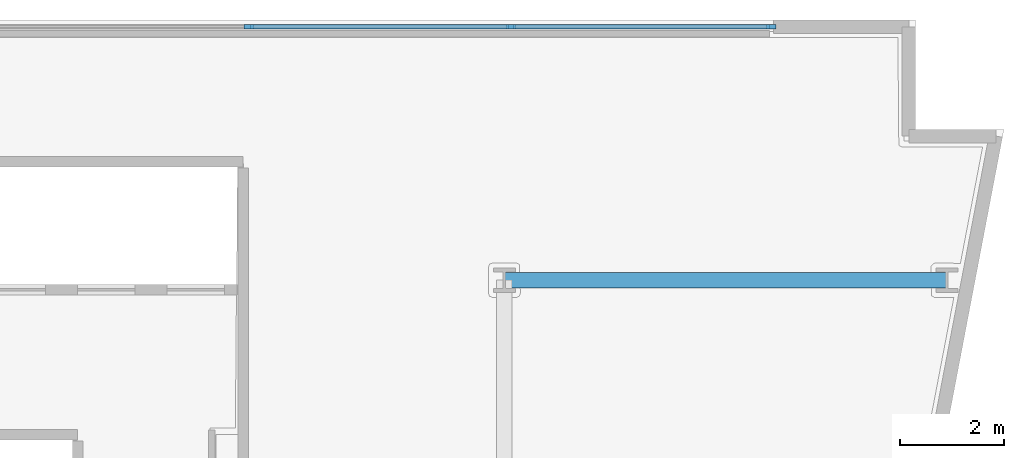
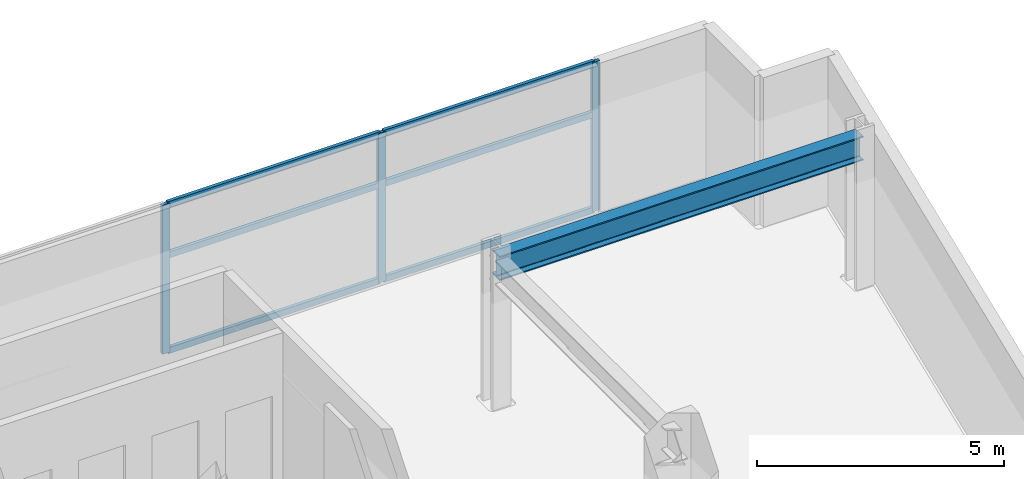
# One storey, part 4 of 13: 9 members, 1 beam, 1 element without a shape of its own.
"""IFC4 building model written with IfcOpenShell, lengths in metres."""

from ifc_helpers import new_model, si_unit, direction, frame, origin, origin_2d, place, context, subcontext, project, spatial, rectangle, i_section, extrude, material, layer, layer_set, material_profile, profile_set, type_object, element, aggregate, save


model = new_model("IFC4")

# Units and contexts
model_context = context("Model", 3, precision=1e-05, world=origin(), true_north=direction((0.0, 1.0)))
body_context = subcontext(model_context, "Body", "Model", "MODEL_VIEW")
ifc_project = project(units=[si_unit("LENGTHUNIT", "METRE"), si_unit("AREAUNIT", "SQUARE_METRE"), si_unit("VOLUMEUNIT", "CUBIC_METRE"), si_unit("PLANEANGLEUNIT", "RADIAN"), si_unit("MASSUNIT", "GRAM", prefix="KILO")], contexts=[model_context])

# Site, building, storey
site_placement = place(None, origin())
site = spatial("IfcSite", under=ifc_project, at=site_placement, CompositionType="ELEMENT")
building_placement = place(site_placement, origin())
building = spatial("IfcBuilding", under=site, at=building_placement, Name="Caeloran Harvest Quay", CompositionType="ELEMENT")
storey_placement = place(building_placement, frame((0.0, 0.0, 123.25)))
storey = spatial("IfcBuildingStorey", under=building, at=storey_placement, Name="L28", CompositionType="ELEMENT", Elevation=123.25)

# Beam
ifc_material_1 = material(Name="Steel S355J2", Category="steel")
ifc_material_profile_1 = material_profile(ifc_material_1, i_section(OverallWidth=0.300048828125, OverallDepth=0.60009765625, WebThickness=0.015380859375, FlangeThickness=0.030029296875, FilletRadius=0.027099609375, at=origin_2d()), Name="HE 600 B")
ifc_profile_set_1 = profile_set([ifc_material_profile_1], Name="Steel S355J2")
beam_type = type_object("IfcBeamType", Name="BM-PG-3-HE_600_B", PredefinedType="BEAM", material=ifc_profile_set_1)
beam_placement = place(storey_placement, frame((42.5, 38.5, 3.389892578125), z_axis=(1.0, 0.0, 0.0), x_axis=(0.0, 1.0, 0.0)))
element("IfcBeam", 1, at=beam_placement, inside=storey, type_object=beam_type, Name="L28 Primary East-West Girder Y=38.5", PredefinedType="BEAM", context=body_context, shape_type="SweptSolid", body=[
    extrude(i_section(OverallWidth=0.300048828125, OverallDepth=0.60009765625, WebThickness=0.015380859375, FlangeThickness=0.030029296875, FilletRadius=0.027099609375, at=origin_2d()), origin(), (0.0, 0.0, 1.0), 8.5),
])

# Curtain wall, members
ifc_material_2 = material(Name="Aluminium 6063-T6 and Low-E Glazing", Category="aluminium")
ifc_layer = layer(ifc_material_2, 0.18994140625, Name="Aluminium 6063-T6 and Low-E Glazing")
ifc_layer_set = layer_set([ifc_layer], Name="Aluminium 6063-T6 and Low-E Glazing")
curtain_wall_type = type_object("IfcCurtainWallType", Name="CW-SYS-CW-3", PredefinedType="USERDEFINED", material=ifc_layer_set)
curtain_wall_placement = place(storey_placement, origin())
curtain_wall = element("IfcCurtainWall", 2, at=curtain_wall_placement, inside=storey, type_object=curtain_wall_type, Name="L28 Unitised Curtain Wall CW-3 Run 6", ObjectType="CURTAIN_WALL", PredefinedType="USERDEFINED")
ifc_material_3 = material(Name="Aluminium 6063-T6", Category="aluminium")
ifc_material_profile_2 = material_profile(ifc_material_3, rectangle(XDim=0.080078125, YDim=0.179931640625, at=origin_2d()), Name="CW-MULLION-180")
ifc_profile_set_2 = profile_set([ifc_material_profile_2], Name="Aluminium 6063-T6")
member_type_1 = type_object("IfcMemberType", Name="CW-MULLION-180", PredefinedType="MULLION", material=ifc_profile_set_2)
member_1_placement = place(storey_placement, frame((37.5849609375, 43.3701171875, 0.0), z_axis=(0.0, 0.0, 1.0), x_axis=(0.0, 1.0, 0.0)))
member_1 = element("IfcMember", 3, at=member_1_placement, type_object=member_type_1, Name="CW-3 mullion 7", PredefinedType="MULLION", context=body_context, shape_type="SweptSolid", body=[
    extrude(rectangle(XDim=0.080078125, YDim=0.179931640625, at=origin_2d()), origin(), (0.0, 0.0, 1.0), 3.68994140625),
])
member_2_placement = place(storey_placement, frame((42.62744140625, 43.3701171875, 0.0), z_axis=(0.0, 0.0, 1.0), x_axis=(0.0, 1.0, 0.0)))
member_2 = element("IfcMember", 4, at=member_2_placement, type_object=member_type_1, Name="CW-3 mullion 8", PredefinedType="MULLION", context=body_context, shape_type="SweptSolid", body=[
    extrude(rectangle(XDim=0.080078125, YDim=0.179931640625, at=origin_2d()), origin(), (0.0, 0.0, 1.0), 3.68994140625),
])
member_3_placement = place(storey_placement, frame((47.6298828125, 43.3701171875, 0.0), z_axis=(0.0, 0.0, 1.0), x_axis=(0.0, 1.0, 0.0)))
member_3 = element("IfcMember", 5, at=member_3_placement, type_object=member_type_1, Name="CW-3 mullion 9", PredefinedType="MULLION", context=body_context, shape_type="SweptSolid", body=[
    extrude(rectangle(XDim=0.080078125, YDim=0.179931640625, at=origin_2d()), origin(), (0.0, 0.0, 1.0), 3.68994140625),
])
ifc_material_profile_3 = material_profile(ifc_material_3, rectangle(XDim=0.080078125, YDim=0.14990234375, at=origin_2d()), Name="CW-TRANSOM-150")
ifc_profile_set_3 = profile_set([ifc_material_profile_3], Name="Aluminium 6063-T6")
member_type_2 = type_object("IfcMemberType", Name="CW-TRANSOM-150", PredefinedType="USERDEFINED", material=ifc_profile_set_3)
member_4_placement = place(storey_placement, frame((37.625, 43.3701171875, 0.0400390625), z_axis=(1.0, 0.0, 0.0), x_axis=(0.0, 1.0, 0.0)))
member_4 = element("IfcMember", 6, at=member_4_placement, type_object=member_type_2, Name="CW-3 transom 7.1", ObjectType="TRANSOM", PredefinedType="USERDEFINED", context=body_context, shape_type="SweptSolid", body=[
    extrude(rectangle(XDim=0.080078125, YDim=0.14990234375, at=origin_2d()), origin(), (0.0, 0.0, 1.0), 4.96240234375),
])
member_5_placement = place(storey_placement, frame((37.625, 43.3701171875, 2.39990234375), z_axis=(1.0, 0.0, 0.0), x_axis=(0.0, 1.0, 0.0)))
member_5 = element("IfcMember", 7, at=member_5_placement, type_object=member_type_2, Name="CW-3 transom 7.2", ObjectType="TRANSOM", PredefinedType="USERDEFINED", context=body_context, shape_type="SweptSolid", body=[
    extrude(rectangle(XDim=0.080078125, YDim=0.14990234375, at=origin_2d()), origin(), (0.0, 0.0, 1.0), 4.96240234375),
])
member_6_placement = place(storey_placement, frame((37.625, 43.3701171875, 3.64990234375), z_axis=(1.0, 0.0, 0.0), x_axis=(0.0, 1.0, 0.0)))
member_6 = element("IfcMember", 8, at=member_6_placement, type_object=member_type_2, Name="CW-3 transom 7.3", ObjectType="TRANSOM", PredefinedType="USERDEFINED", context=body_context, shape_type="SweptSolid", body=[
    extrude(rectangle(XDim=0.080078125, YDim=0.14990234375, at=origin_2d()), origin(), (0.0, 0.0, 1.0), 4.96240234375),
])
member_7_placement = place(storey_placement, frame((42.66748046875, 43.3701171875, 0.0400390625), z_axis=(1.0, 0.0, 0.0), x_axis=(0.0, 1.0, 0.0)))
member_7 = element("IfcMember", 9, at=member_7_placement, type_object=member_type_2, Name="CW-3 transom 8.1", ObjectType="TRANSOM", PredefinedType="USERDEFINED", context=body_context, shape_type="SweptSolid", body=[
    extrude(rectangle(XDim=0.080078125, YDim=0.14990234375, at=origin_2d()), origin(), (0.0, 0.0, 1.0), 4.922607421875),
])
member_8_placement = place(storey_placement, frame((42.66748046875, 43.3701171875, 2.39990234375), z_axis=(1.0, 0.0, 0.0), x_axis=(0.0, 1.0, 0.0)))
member_8 = element("IfcMember", 10, at=member_8_placement, type_object=member_type_2, Name="CW-3 transom 8.2", ObjectType="TRANSOM", PredefinedType="USERDEFINED", context=body_context, shape_type="SweptSolid", body=[
    extrude(rectangle(XDim=0.080078125, YDim=0.14990234375, at=origin_2d()), origin(), (0.0, 0.0, 1.0), 4.922607421875),
])
member_9_placement = place(storey_placement, frame((42.66748046875, 43.3701171875, 3.64990234375), z_axis=(1.0, 0.0, 0.0), x_axis=(0.0, 1.0, 0.0)))
member_9 = element("IfcMember", 11, at=member_9_placement, type_object=member_type_2, Name="CW-3 transom 8.3", ObjectType="TRANSOM", PredefinedType="USERDEFINED", context=body_context, shape_type="SweptSolid", body=[
    extrude(rectangle(XDim=0.080078125, YDim=0.14990234375, at=origin_2d()), origin(), (0.0, 0.0, 1.0), 4.922607421875),
])
aggregate(curtain_wall, [member_1, member_2, member_3, member_4, member_5, member_6, member_7, member_8, member_9])

save(model, "model.ifc")
